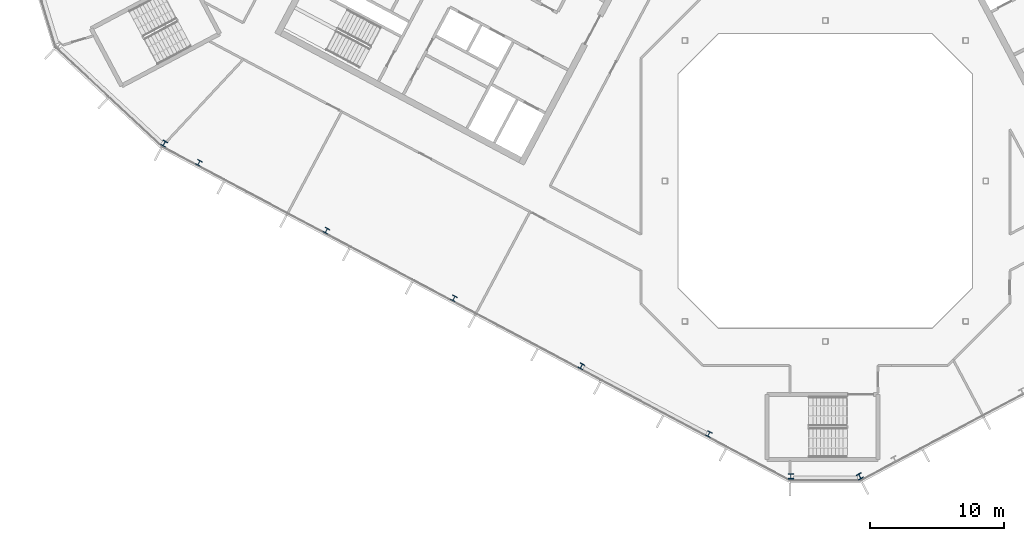
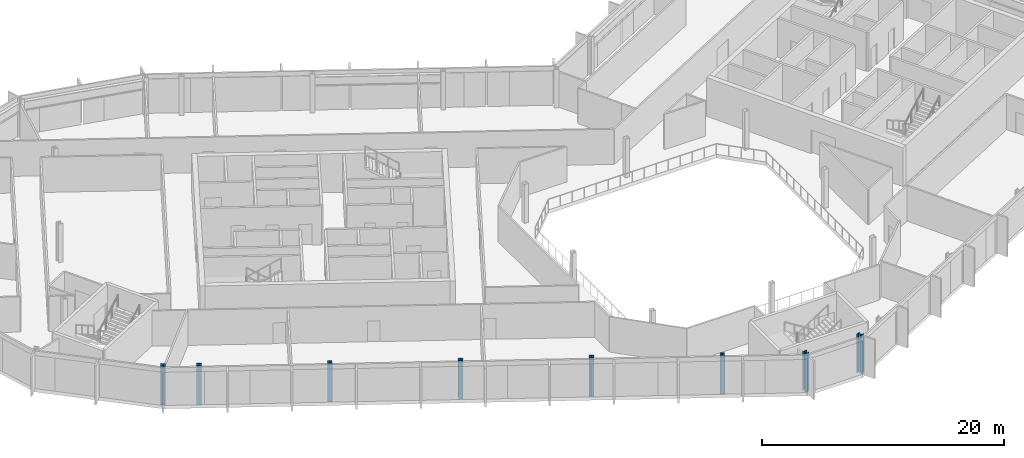
# One storey, part 1 of 26: 8 columns.
"""IFC4 building model written with IfcOpenShell, lengths in metres."""

from ifc_helpers import new_model, si_unit, direction, frame, origin, origin_2d, place, context, subcontext, project, spatial, i_section, extrude, material, material_profile, profile_set, type_object, element, save


model = new_model("IFC4")

# Units and contexts
model_context = context("Model", 3, precision=1e-05, world=origin(), true_north=direction((0.0, 1.0)))
body_context = subcontext(model_context, "Body", "Model", "MODEL_VIEW")
ifc_project = project(units=[si_unit("LENGTHUNIT", "METRE"), si_unit("AREAUNIT", "SQUARE_METRE"), si_unit("VOLUMEUNIT", "CUBIC_METRE"), si_unit("PLANEANGLEUNIT", "RADIAN"), si_unit("MASSUNIT", "GRAM", prefix="KILO")], contexts=[model_context])

# Site, building, storey
site_placement = place(None, origin())
site = spatial("IfcSite", under=ifc_project, at=site_placement, CompositionType="ELEMENT")
building_placement = place(site_placement, origin())
building = spatial("IfcBuilding", under=site, at=building_placement, Name="Cormorant Relay Tower", CompositionType="ELEMENT")
storey_placement = place(building_placement, frame((0.0, 0.0, 300.89990234375)))
storey = spatial("IfcBuildingStorey", under=building, at=storey_placement, Name="L68", CompositionType="ELEMENT", Elevation=300.89990234375)

# Columns
ifc_material_1 = material(Name="Steel ASTM A992 (Fy 345 MPa)", Category="steel")
ifc_material_profile_1 = material_profile(ifc_material_1, i_section(OverallWidth=0.398681640625, OverallDepth=0.385986328125, WebThickness=0.02099609375, FlangeThickness=0.033203125, FilletRadius=0.01513671875, at=origin_2d()), Name="W360x262")
ifc_profile_set_1 = profile_set([ifc_material_profile_1], Name="Steel ASTM A992 (Fy 345 MPa)")
column_type_1 = type_object("IfcColumnType", Name="Column W360x262", PredefinedType="COLUMN", material=ifc_profile_set_1)
for number, where, z_axis, x_axis, name in (
    (1, (-8.705078125, -18.928955078125, 0.0), (0.0, 0.0, 1.0), (0.882947592859, -0.469471562786, 0.0), "Column L68-004"),
    (2, (-18.240966796875, -13.85791015625, 0.0), (0.0, 0.0, 1.0), (0.882947592859, -0.469471562786, 0.0), "Column L68-006"),
    (3, (-27.777099609375, -8.7880859375, 0.0), (0.0, 0.0, 1.0), (0.882947592859, -0.469471562786, 0.0), "Column L68-011"),
    (4, (-37.31298828125, -3.718017578125, 0.0), (0.0, 0.0, 1.0), (0.882947592859, -0.469471562786, 0.0), "Column L68-013"),
    (5, (-46.84912109375, 1.35205078125, 0.0), (0.0, 0.0, 1.0), (0.882947592859, -0.469471562786, 0.0), "Column L68-017"),
):
    element("IfcColumn", number, at=place(storey_placement, frame(where, z_axis=z_axis, x_axis=x_axis)), inside=storey, type_object=column_type_1, Name=name, PredefinedType="COLUMN", context=body_context, shape_type="SweptSolid", body=[
        extrude(i_section(OverallWidth=0.398681640625, OverallDepth=0.385986328125, WebThickness=0.02099609375, FlangeThickness=0.033203125, FilletRadius=0.01513671875, at=origin_2d()), origin(), (0.0, 0.0, 1.0), 3.900146484375),
    ])
ifc_material_2 = material(Name="Steel ASTM A992 (Fy 345 MPa)", Category="steel")
ifc_material_profile_2 = material_profile(ifc_material_2, i_section(OverallWidth=0.40380859375, OverallDepth=0.406494140625, WebThickness=0.027099609375, FlangeThickness=0.043701171875, FilletRadius=0.01513671875, at=origin_2d()), Name="W360x347")
ifc_profile_set_2 = profile_set([ifc_material_profile_2], Name="Steel ASTM A992 (Fy 345 MPa)")
column_type_2 = type_object("IfcColumnType", Name="Column W360x347", PredefinedType="COLUMN", material=ifc_profile_set_2)
for number, where, z_axis, x_axis, name in (
    (6, (-2.5791015625, -22.093994140625, 0.0), (0.0, 0.0, 1.0), (1.0, 0.0, 0.0), "Column L68-001"),
    (7, (2.5791015625, -22.093994140625, 0.0), (0.0, 0.0, 1.0), (0.882947592859, 0.469471562786, 0.0), "Column L68-002"),
    (8, (-49.44091796875, 2.7958984375, 0.0), (0.0, 0.0, 1.0), (0.882947592859, -0.469471562786, 0.0), "Column L68-018"),
):
    element("IfcColumn", number, at=place(storey_placement, frame(where, z_axis=z_axis, x_axis=x_axis)), inside=storey, type_object=column_type_2, Name=name, PredefinedType="COLUMN", context=body_context, shape_type="SweptSolid", body=[
        extrude(i_section(OverallWidth=0.40380859375, OverallDepth=0.406494140625, WebThickness=0.027099609375, FlangeThickness=0.043701171875, FilletRadius=0.01513671875, at=origin_2d()), origin(), (0.0, 0.0, 1.0), 3.900146484375),
    ])

save(model, "model.ifc")
